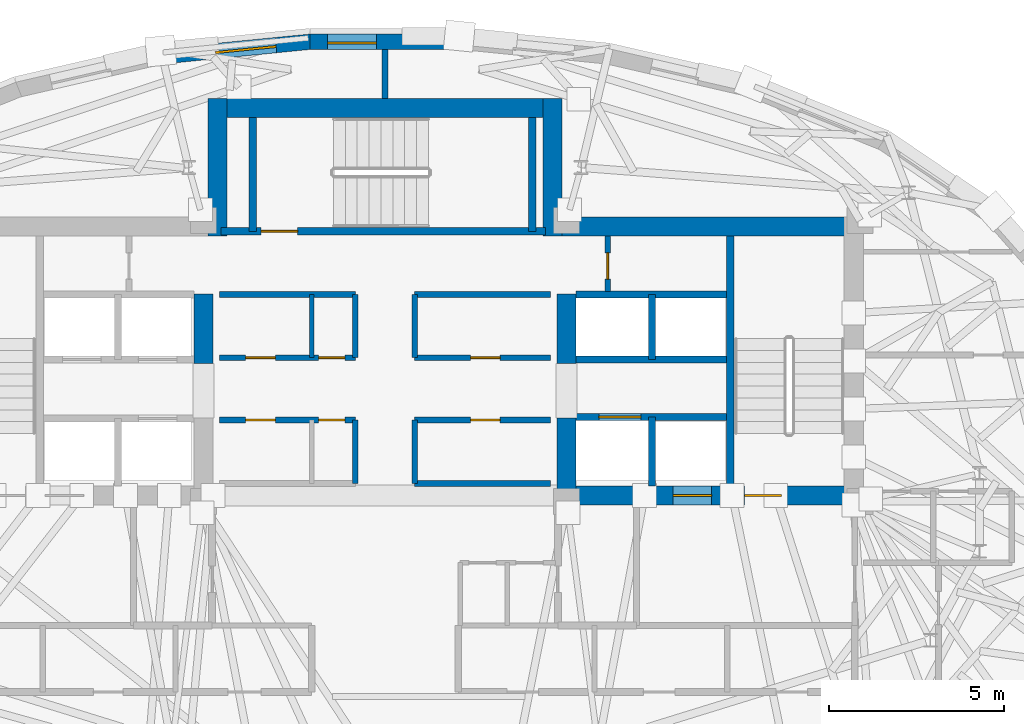
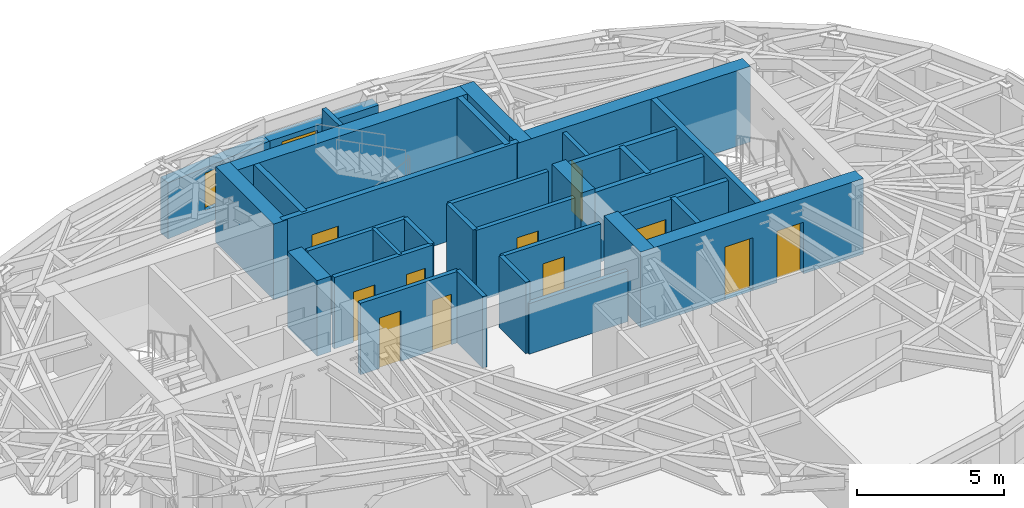
# One storey, part 8 of 13: 33 walls, 11 doors, 2 windows, 13 openings.
"""IFC4 building model written with IfcOpenShell, lengths in metres."""

from ifc_helpers import new_model, si_unit, direction, frame, frame_2d, origin, place, context, subcontext, project, spatial, rectangle, extrude, material, layer, layer_set, type_object, element, fill, save


model = new_model("IFC4")

# Units and contexts
model_context = context("Model", 3, precision=1e-05, world=origin(), true_north=direction((0.0, 1.0)))
body_context = subcontext(model_context, "Body", "Model", "MODEL_VIEW")
ifc_project = project(units=[si_unit("LENGTHUNIT", "METRE"), si_unit("AREAUNIT", "SQUARE_METRE"), si_unit("VOLUMEUNIT", "CUBIC_METRE"), si_unit("PLANEANGLEUNIT", "RADIAN"), si_unit("MASSUNIT", "GRAM", prefix="KILO")], contexts=[model_context])

# Site, building, storey
site_placement = place(None, origin())
site = spatial("IfcSite", under=ifc_project, at=site_placement, CompositionType="ELEMENT")
building_placement = place(site_placement, origin())
building = spatial("IfcBuilding", under=site, at=building_placement, Name="Keldmark Tower", CompositionType="ELEMENT")
storey_placement = place(building_placement, frame((0.0, 0.0, 241.5)))
storey = spatial("IfcBuildingStorey", under=building, at=storey_placement, Name="L68", CompositionType="ELEMENT", Elevation=241.5)

# Walls
ifc_material_1 = material(Name="Concrete C50/60", Category="concrete")
ifc_layer_1 = layer(ifc_material_1, 0.550048828125)
ifc_layer_set_1 = layer_set([ifc_layer_1], Name="Concrete C50/60")
wall_type_1 = type_object("IfcWallType", Name="High-Rise Core Shear Wall 550 mm", PredefinedType="SHEAR", material=ifc_layer_set_1)
wall_1_placement = place(storey_placement, frame((-5.199951171875, 5.35009765625, 0.0), z_axis=(0.0, 0.0, 1.0), x_axis=(0.0, 1.0, 0.0)))
element("IfcWall", 1, at=wall_1_placement, inside=storey, type_object=wall_type_1, Name="L68 West Core Inner Shear Pier North", PredefinedType="SHEAR", context=body_context, shape_type="SweptSolid", body=[
    extrude(rectangle(XDim=2.0, YDim=0.550048828125, at=frame_2d((1.0, 0.0))), origin(), (0.0, 0.0, 1.0), 3.14990234375),
])
wall_2_placement = place(storey_placement, frame((4.52490234375, 9.27490234375, 0.0), z_axis=(0.0, 0.0, 1.0), x_axis=(1.0, 0.0, 0.0)))
element("IfcWall", 2, at=wall_2_placement, inside=storey, type_object=wall_type_1, Name="L68 East Core North Shear Wall", PredefinedType="SHEAR", context=body_context, shape_type="SweptSolid", body=[
    extrude(rectangle(XDim=9.175048828125, YDim=0.550048828125, at=frame_2d((4.58740234375, 0.0))), origin(), (0.0, 0.0, 1.0), 3.14990234375),
])

# Wall, openings, doors
wall_3_placement = place(storey_placement, frame((13.699951171875, 1.574951171875, 0.0), z_axis=(0.0, 0.0, 1.0), x_axis=(-1.0, 0.0, 0.0)))
wall_3 = element("IfcWall", 3, at=wall_3_placement, inside=storey, type_object=wall_type_1, Name="L68 East Core South Shear Wall", PredefinedType="SHEAR", context=body_context, shape_type="SweptSolid", body=[
    extrude(rectangle(XDim=8.77490234375, YDim=0.550048828125, at=frame_2d((4.387451171875, 0.0))), origin(), (0.0, 0.0, 1.0), 3.14990234375),
])
opening_1_placement = place(wall_3_placement, frame((2.35009765625, 0.0, 0.0)))
opening_1 = element("IfcOpeningElement", 4, at=opening_1_placement, cuts=wall_3, Name="Opening D-ST105", PredefinedType="OPENING", context=body_context, shape_type="SweptSolid", body=[
    extrude(rectangle(XDim=1.050048828125, YDim=2.14990234375, at=frame_2d((0.52490234375, 1.074951171875))), frame((0.0, 0.284912109375, 0.0), z_axis=(0.0, -1.0, 0.0), x_axis=(1.0, 0.0, 0.0)), (0.0, 0.0, 1.0), 0.570068359375),
])
opening_2_placement = place(wall_3_placement, frame((4.35009765625, 0.0, 0.0)))
opening_2 = element("IfcOpeningElement", 5, at=opening_2_placement, cuts=wall_3, Name="Opening LD-110", PredefinedType="OPENING", context=body_context, shape_type="SweptSolid", body=[
    extrude(rectangle(XDim=1.10009765625, YDim=2.199951171875, at=frame_2d((0.550048828125, 1.10009765625))), frame((0.0, 0.284912109375, 0.0), z_axis=(0.0, -1.0, 0.0), x_axis=(1.0, 0.0, 0.0)), (0.0, 0.0, 1.0), 0.570068359375),
])
ifc_material_2 = material(Name="Brushed Bronze Hoistway Sliding Leaf", Category="metal")
door_type_1 = type_object("IfcDoorType", Name="Lift Landing Sliding Door 1100x2200", OperationType="SLIDING_TO_LEFT", PredefinedType="DOOR", material=ifc_material_2)
door_1_placement = place(opening_2_placement, origin())
door_1 = element("IfcDoor", 6, at=door_1_placement, inside=storey, type_object=door_type_1, Name="L68 Lift Landing Sliding Door 1100x2200 LD-EL-FS2-L68", OperationType="SLIDING_TO_LEFT", OverallHeight=2.199951171875, OverallWidth=1.10009765625, PredefinedType="DOOR", context=body_context, shape_type="SweptSolid", body=[
    extrude(rectangle(XDim=1.10009765625, YDim=2.199951171875, at=frame_2d((0.550048828125, 1.10009765625))), frame((0.0, 0.02490234375, 0.0), z_axis=(0.0, -1.0, 0.0), x_axis=(1.0, 0.0, 0.0)), (0.0, 0.0, 1.0), 0.050048828125),
])
fill(opening_2, door_1)
ifc_material_3 = material(Name="Hollow Metal Fire-Rated Door Assembly", Category="metal")
door_type_2 = type_object("IfcDoorType", Name="Stair Fire Door 1050x2150", OperationType="NOTDEFINED", PredefinedType="DOOR", material=ifc_material_3)
door_2_placement = place(opening_1_placement, origin())
door_2 = element("IfcDoor", 7, at=door_2_placement, inside=storey, type_object=door_type_2, Name="L68 Stair Fire Door 1050x2150 D-ST2-L68", OperationType="SINGLE_SWING_LEFT", OverallHeight=2.14990234375, OverallWidth=1.050048828125, PredefinedType="DOOR", context=body_context, shape_type="SweptSolid", body=[
    extrude(rectangle(XDim=1.050048828125, YDim=2.14990234375, at=frame_2d((0.52490234375, 1.074951171875))), frame((0.0, 0.02490234375, 0.0), z_axis=(0.0, -1.0, 0.0), x_axis=(1.0, 0.0, 0.0)), (0.0, 0.0, 1.0), 0.050048828125),
])
fill(opening_1, door_2)

# Walls
wall_4_placement = place(storey_placement, frame((5.199951171875, 1.300048828125, 0.0), z_axis=(0.0, 0.0, 1.0), x_axis=(0.0, 1.0, 0.0)))
element("IfcWall", 8, at=wall_4_placement, inside=storey, type_object=wall_type_1, Name="L68 East Core Inner Shear Pier South", PredefinedType="SHEAR", context=body_context, shape_type="SweptSolid", body=[
    extrude(rectangle(XDim=2.5, YDim=0.550048828125, at=frame_2d((1.25, 0.0))), origin(), (0.0, 0.0, 1.0), 3.14990234375),
])
wall_5_placement = place(storey_placement, frame((5.199951171875, 5.35009765625, 0.0), z_axis=(0.0, 0.0, 1.0), x_axis=(0.0, 1.0, 0.0)))
element("IfcWall", 9, at=wall_5_placement, inside=storey, type_object=wall_type_1, Name="L68 East Core Inner Shear Pier North", PredefinedType="SHEAR", context=body_context, shape_type="SweptSolid", body=[
    extrude(rectangle(XDim=2.0, YDim=0.550048828125, at=frame_2d((1.0, 0.0))), origin(), (0.0, 0.0, 1.0), 3.14990234375),
])
wall_6_placement = place(storey_placement, frame((-5.074951171875, 12.675048828125, 0.0), z_axis=(0.0, 0.0, 1.0), x_axis=(1.0, 0.0, 0.0)))
element("IfcWall", 10, at=wall_6_placement, inside=storey, type_object=wall_type_1, Name="L68 North Core Shear Wall", PredefinedType="SHEAR", context=body_context, shape_type="SweptSolid", body=[
    extrude(rectangle(XDim=10.14990234375, YDim=0.550048828125, at=frame_2d((5.074951171875, 0.0))), origin(), (0.0, 0.0, 1.0), 3.14990234375),
])
for number, where, z_axis, x_axis, name in (
    (11, (-4.800048828125, 9.0, 0.0), (0.0, 0.0, 1.0), (0.0, 1.0, 0.0), "L68 North Core West Shear Wall"),
    (12, (4.800048828125, 9.0, 0.0), (0.0, 0.0, 1.0), (0.0, 1.0, 0.0), "L68 North Core East Shear Wall"),
):
    element("IfcWall", number, at=place(storey_placement, frame(where, z_axis=z_axis, x_axis=x_axis)), inside=storey, type_object=wall_type_1, Name=name, PredefinedType="SHEAR", context=body_context, shape_type="SweptSolid", body=[
        extrude(rectangle(XDim=3.949951171875, YDim=0.550048828125, at=frame_2d((1.97509765625, 0.0))), origin(), (0.0, 0.0, 1.0), 3.14990234375),
    ])
ifc_material_4 = material(Name="Acoustic Gypsum Board Interior Partition", Category="gypsum")
ifc_layer_2 = layer(ifc_material_4, 0.1298828125)
ifc_layer_set_2 = layer_set([ifc_layer_2], Name="Acoustic Gypsum Board Interior Partition")
wall_type_2 = type_object("IfcWallType", Name="Interior Partition 130 mm", PredefinedType="PARTITIONING", material=ifc_layer_set_2)
wall_7_placement = place(storey_placement, frame((-2.10009765625, 5.52001953125, 0.0), z_axis=(0.0, 0.0, 1.0), x_axis=(0.0, 1.0, 0.0)))
element("IfcWall", 13, at=wall_7_placement, inside=storey, type_object=wall_type_2, Name="L68 Interior Partition 130 mm REC-MW-M", PredefinedType="PARTITIONING", context=body_context, shape_type="SweptSolid", body=[
    extrude(rectangle(XDim=1.81005859375, YDim=0.1298828125, at=frame_2d((0.905029296875, 0.0))), origin(), (0.0, 0.0, 1.0), 2.969970703125),
])

# Wall, openings, doors
ifc_material_5 = material(Name="Type X Fire-Rated Gypsum Partition Assembly", Category="gypsum")
ifc_layer_3 = layer(ifc_material_5, 0.1650390625)
ifc_layer_set_3 = layer_set([ifc_layer_3], Name="Type X Fire-Rated Gypsum Partition Assembly")
wall_type_3 = type_object("IfcWallType", Name="Rated Partition 165 mm", PredefinedType="PARTITIONING", material=ifc_layer_set_3)
wall_8_placement = place(storey_placement, frame((-4.739990234375, 3.739990234375, 0.0), z_axis=(0.0, 0.0, 1.0), x_axis=(1.0, 0.0, 0.0)))
wall_8 = element("IfcWall", 14, at=wall_8_placement, inside=storey, type_object=wall_type_3, Name="L68 Rated Partition 165 mm REC-LW-N", PredefinedType="PARTITIONING", context=body_context, shape_type="SweptSolid", body=[
    extrude(rectangle(XDim=3.889892578125, YDim=0.1650390625, at=frame_2d((1.94482421875, 0.0))), origin(), (0.0, 0.0, 1.0), 2.969970703125),
])
opening_3_placement = place(wall_8_placement, frame((0.75, 0.0, 0.0)))
opening_3 = element("IfcOpeningElement", 15, at=opening_3_placement, cuts=wall_8, Name="Opening D-SV085", PredefinedType="OPENING", context=body_context, shape_type="SweptSolid", body=[
    extrude(rectangle(XDim=0.85009765625, YDim=2.10009765625, at=frame_2d((0.425048828125, 1.050048828125))), frame((0.0, 0.092529296875, 0.0), z_axis=(0.0, -1.0, 0.0), x_axis=(1.0, 0.0, 0.0)), (0.0, 0.0, 1.0), 0.18505859375),
])
opening_4_placement = place(wall_8_placement, frame((2.840087890625, 0.0, 0.0)))
opening_4 = element("IfcOpeningElement", 16, at=opening_4_placement, cuts=wall_8, Name="Opening D-RS075", PredefinedType="OPENING", context=body_context, shape_type="SweptSolid", body=[
    extrude(rectangle(XDim=0.75, YDim=2.10009765625, at=frame_2d((0.375, 1.050048828125))), frame((0.0, 0.092529296875, 0.0), z_axis=(0.0, -1.0, 0.0), x_axis=(1.0, 0.0, 0.0)), (0.0, 0.0, 1.0), 0.18505859375),
])
ifc_material_6 = material(Name="Galvanized Fire-Rated Access Leaf", Category="metal")
door_type_3 = type_object("IfcDoorType", Name="Riser Access Door 750x2100", OperationType="NOTDEFINED", PredefinedType="DOOR", material=ifc_material_6)
door_3_placement = place(opening_4_placement, origin())
door_3 = element("IfcDoor", 17, at=door_3_placement, inside=storey, type_object=door_type_3, Name="L68 Riser Access Door 750x2100 D-RECLW2-L68", OperationType="SINGLE_SWING_RIGHT", OverallHeight=2.10009765625, OverallWidth=0.75, PredefinedType="DOOR", context=body_context, shape_type="SweptSolid", body=[
    extrude(rectangle(XDim=0.75, YDim=2.10009765625, at=frame_2d((0.375, 1.050048828125))), frame((0.0, 0.02490234375, 0.0), z_axis=(0.0, -1.0, 0.0), x_axis=(1.0, 0.0, 0.0)), (0.0, 0.0, 1.0), 0.050048828125),
])
fill(opening_4, door_3)
ifc_material_7 = material(Name="Painted Hollow Metal Door Assembly", Category="metal")
door_type_4 = type_object("IfcDoorType", Name="Service Door 850x2100", OperationType="NOTDEFINED", PredefinedType="DOOR", material=ifc_material_7)
door_4_placement = place(opening_3_placement, origin())
door_4 = element("IfcDoor", 18, at=door_4_placement, inside=storey, type_object=door_type_4, Name="L68 Service Door 850x2100 D-RECLW1-L68", OperationType="SINGLE_SWING_LEFT", OverallHeight=2.10009765625, OverallWidth=0.85009765625, PredefinedType="DOOR", context=body_context, shape_type="SweptSolid", body=[
    extrude(rectangle(XDim=0.85009765625, YDim=2.10009765625, at=frame_2d((0.425048828125, 1.050048828125))), frame((0.0, 0.02490234375, 0.0), z_axis=(0.0, -1.0, 0.0), x_axis=(1.0, 0.0, 0.0)), (0.0, 0.0, 1.0), 0.050048828125),
])
fill(opening_3, door_4)

# Walls
wall_9_placement = place(storey_placement, frame((-0.85009765625, 1.919921875, 0.0), z_axis=(0.0, 0.0, 1.0), x_axis=(0.0, 1.0, 0.0)))
element("IfcWall", 19, at=wall_9_placement, inside=storey, type_object=wall_type_3, Name="L68 Rated Partition 165 mm REC-LW-E", PredefinedType="PARTITIONING", context=body_context, shape_type="SweptSolid", body=[
    extrude(rectangle(XDim=1.820068359375, YDim=0.1650390625, at=frame_2d((0.91015625, 0.0))), origin(), (0.0, 0.0, 1.0), 2.969970703125),
])
wall_10_placement = place(storey_placement, frame((0.85009765625, 1.919921875, 0.0), z_axis=(0.0, 0.0, 1.0), x_axis=(1.0, 0.0, 0.0)))
element("IfcWall", 20, at=wall_10_placement, inside=storey, type_object=wall_type_3, Name="L68 Rated Partition 165 mm REC-LE-S", PredefinedType="PARTITIONING", context=body_context, shape_type="SweptSolid", body=[
    extrude(rectangle(XDim=3.889892578125, YDim=0.1650390625, at=frame_2d((1.94482421875, 0.0))), origin(), (0.0, 0.0, 1.0), 2.110107421875),
])

# Wall, opening, door
wall_11_placement = place(storey_placement, frame((0.85009765625, 3.739990234375, 0.0), z_axis=(0.0, 0.0, 1.0), x_axis=(1.0, 0.0, 0.0)))
wall_11 = element("IfcWall", 21, at=wall_11_placement, inside=storey, type_object=wall_type_3, Name="L68 Rated Partition 165 mm REC-LE-N", PredefinedType="PARTITIONING", context=body_context, shape_type="SweptSolid", body=[
    extrude(rectangle(XDim=3.889892578125, YDim=0.1650390625, at=frame_2d((1.94482421875, 0.0))), origin(), (0.0, 0.0, 1.0), 2.969970703125),
])
opening_5_placement = place(wall_11_placement, frame((1.60009765625, 0.0, 0.0)))
opening_5 = element("IfcOpeningElement", 22, at=opening_5_placement, cuts=wall_11, Name="Opening D-SV085", PredefinedType="OPENING", context=body_context, shape_type="SweptSolid", body=[
    extrude(rectangle(XDim=0.85009765625, YDim=2.10009765625, at=frame_2d((0.425048828125, 1.050048828125))), frame((0.0, 0.092529296875, 0.0), z_axis=(0.0, -1.0, 0.0), x_axis=(1.0, 0.0, 0.0)), (0.0, 0.0, 1.0), 0.18505859375),
])
door_5_placement = place(opening_5_placement, origin())
door_5 = element("IfcDoor", 23, at=door_5_placement, inside=storey, type_object=door_type_4, Name="L68 Service Door 850x2100 D-RECLE1-L68", OperationType="SINGLE_SWING_LEFT", OverallHeight=2.10009765625, OverallWidth=0.85009765625, PredefinedType="DOOR", context=body_context, shape_type="SweptSolid", body=[
    extrude(rectangle(XDim=0.85009765625, YDim=2.10009765625, at=frame_2d((0.425048828125, 1.050048828125))), frame((0.0, 0.02490234375, 0.0), z_axis=(0.0, -1.0, 0.0), x_axis=(1.0, 0.0, 0.0)), (0.0, 0.0, 1.0), 0.050048828125),
])
fill(opening_5, door_5)

# Wall
wall_12_placement = place(storey_placement, frame((0.85009765625, 1.919921875, 0.0), z_axis=(0.0, 0.0, 1.0), x_axis=(0.0, 1.0, 0.0)))
element("IfcWall", 24, at=wall_12_placement, inside=storey, type_object=wall_type_3, Name="L68 Rated Partition 165 mm REC-LE-W", PredefinedType="PARTITIONING", context=body_context, shape_type="SweptSolid", body=[
    extrude(rectangle(XDim=1.820068359375, YDim=0.1650390625, at=frame_2d((0.91015625, 0.0))), origin(), (0.0, 0.0, 1.0), 2.969970703125),
])

# Wall, openings, doors
wall_13_placement = place(storey_placement, frame((-4.739990234375, 5.52001953125, 0.0), z_axis=(0.0, 0.0, 1.0), x_axis=(1.0, 0.0, 0.0)))
wall_13 = element("IfcWall", 25, at=wall_13_placement, inside=storey, type_object=wall_type_3, Name="L68 Rated Partition 165 mm REC-MW-S", PredefinedType="PARTITIONING", context=body_context, shape_type="SweptSolid", body=[
    extrude(rectangle(XDim=3.889892578125, YDim=0.1650390625, at=frame_2d((1.94482421875, 0.0))), origin(), (0.0, 0.0, 1.0), 2.969970703125),
])
opening_6_placement = place(wall_13_placement, frame((0.75, 0.0, 0.0)))
opening_6 = element("IfcOpeningElement", 26, at=opening_6_placement, cuts=wall_13, Name="Opening D-SV085", PredefinedType="OPENING", context=body_context, shape_type="SweptSolid", body=[
    extrude(rectangle(XDim=0.85009765625, YDim=2.10009765625, at=frame_2d((0.425048828125, 1.050048828125))), frame((0.0, 0.092529296875, 0.0), z_axis=(0.0, -1.0, 0.0), x_axis=(1.0, 0.0, 0.0)), (0.0, 0.0, 1.0), 0.18505859375),
])
opening_7_placement = place(wall_13_placement, frame((2.840087890625, 0.0, 0.0)))
opening_7 = element("IfcOpeningElement", 27, at=opening_7_placement, cuts=wall_13, Name="Opening D-RS075", PredefinedType="OPENING", context=body_context, shape_type="SweptSolid", body=[
    extrude(rectangle(XDim=0.75, YDim=2.10009765625, at=frame_2d((0.375, 1.050048828125))), frame((0.0, 0.092529296875, 0.0), z_axis=(0.0, -1.0, 0.0), x_axis=(1.0, 0.0, 0.0)), (0.0, 0.0, 1.0), 0.18505859375),
])
door_6_placement = place(opening_7_placement, origin())
door_6 = element("IfcDoor", 28, at=door_6_placement, inside=storey, type_object=door_type_3, Name="L68 Riser Access Door 750x2100 D-RECMW2-L68", OperationType="SINGLE_SWING_RIGHT", OverallHeight=2.10009765625, OverallWidth=0.75, PredefinedType="DOOR", context=body_context, shape_type="SweptSolid", body=[
    extrude(rectangle(XDim=0.75, YDim=2.10009765625, at=frame_2d((0.375, 1.050048828125))), frame((0.0, 0.02490234375, 0.0), z_axis=(0.0, -1.0, 0.0), x_axis=(1.0, 0.0, 0.0)), (0.0, 0.0, 1.0), 0.050048828125),
])
fill(opening_7, door_6)
door_7_placement = place(opening_6_placement, origin())
door_7 = element("IfcDoor", 29, at=door_7_placement, inside=storey, type_object=door_type_4, Name="L68 Service Door 850x2100 D-RECMW1-L68", OperationType="SINGLE_SWING_LEFT", OverallHeight=2.10009765625, OverallWidth=0.85009765625, PredefinedType="DOOR", context=body_context, shape_type="SweptSolid", body=[
    extrude(rectangle(XDim=0.85009765625, YDim=2.10009765625, at=frame_2d((0.425048828125, 1.050048828125))), frame((0.0, 0.02490234375, 0.0), z_axis=(0.0, -1.0, 0.0), x_axis=(1.0, 0.0, 0.0)), (0.0, 0.0, 1.0), 0.050048828125),
])
fill(opening_6, door_7)

# Walls
wall_14_placement = place(storey_placement, frame((-4.739990234375, 7.330078125, 0.0), z_axis=(0.0, 0.0, 1.0), x_axis=(1.0, 0.0, 0.0)))
element("IfcWall", 30, at=wall_14_placement, inside=storey, type_object=wall_type_3, Name="L68 Rated Partition 165 mm REC-MW-N", PredefinedType="PARTITIONING", context=body_context, shape_type="SweptSolid", body=[
    extrude(rectangle(XDim=3.889892578125, YDim=0.1650390625, at=frame_2d((1.94482421875, 0.0))), origin(), (0.0, 0.0, 1.0), 2.969970703125),
])
wall_15_placement = place(storey_placement, frame((-0.85009765625, 5.52001953125, 0.0), z_axis=(0.0, 0.0, 1.0), x_axis=(0.0, 1.0, 0.0)))
element("IfcWall", 31, at=wall_15_placement, inside=storey, type_object=wall_type_3, Name="L68 Rated Partition 165 mm REC-MW-E", PredefinedType="PARTITIONING", context=body_context, shape_type="SweptSolid", body=[
    extrude(rectangle(XDim=1.81005859375, YDim=0.1650390625, at=frame_2d((0.905029296875, 0.0))), origin(), (0.0, 0.0, 1.0), 2.969970703125),
])

# Wall, opening, door
wall_16_placement = place(storey_placement, frame((0.85009765625, 5.52001953125, 0.0), z_axis=(0.0, 0.0, 1.0), x_axis=(1.0, 0.0, 0.0)))
wall_16 = element("IfcWall", 32, at=wall_16_placement, inside=storey, type_object=wall_type_3, Name="L68 Rated Partition 165 mm REC-ME-S", PredefinedType="PARTITIONING", context=body_context, shape_type="SweptSolid", body=[
    extrude(rectangle(XDim=3.889892578125, YDim=0.1650390625, at=frame_2d((1.94482421875, 0.0))), origin(), (0.0, 0.0, 1.0), 2.969970703125),
])
opening_8_placement = place(wall_16_placement, frame((1.60009765625, 0.0, 0.0)))
opening_8 = element("IfcOpeningElement", 33, at=opening_8_placement, cuts=wall_16, Name="Opening D-SV085", PredefinedType="OPENING", context=body_context, shape_type="SweptSolid", body=[
    extrude(rectangle(XDim=0.85009765625, YDim=2.10009765625, at=frame_2d((0.425048828125, 1.050048828125))), frame((0.0, 0.092529296875, 0.0), z_axis=(0.0, -1.0, 0.0), x_axis=(1.0, 0.0, 0.0)), (0.0, 0.0, 1.0), 0.18505859375),
])
door_8_placement = place(opening_8_placement, origin())
door_8 = element("IfcDoor", 34, at=door_8_placement, inside=storey, type_object=door_type_4, Name="L68 Service Door 850x2100 D-RECME1-L68", OperationType="SINGLE_SWING_RIGHT", OverallHeight=2.10009765625, OverallWidth=0.85009765625, PredefinedType="DOOR", context=body_context, shape_type="SweptSolid", body=[
    extrude(rectangle(XDim=0.85009765625, YDim=2.10009765625, at=frame_2d((0.425048828125, 1.050048828125))), frame((0.0, 0.02490234375, 0.0), z_axis=(0.0, -1.0, 0.0), x_axis=(1.0, 0.0, 0.0)), (0.0, 0.0, 1.0), 0.050048828125),
])
fill(opening_8, door_8)

# Walls
wall_17_placement = place(storey_placement, frame((0.85009765625, 7.330078125, 0.0), z_axis=(0.0, 0.0, 1.0), x_axis=(1.0, 0.0, 0.0)))
element("IfcWall", 35, at=wall_17_placement, inside=storey, type_object=wall_type_3, Name="L68 Rated Partition 165 mm REC-ME-N", PredefinedType="PARTITIONING", context=body_context, shape_type="SweptSolid", body=[
    extrude(rectangle(XDim=3.889892578125, YDim=0.1650390625, at=frame_2d((1.94482421875, 0.0))), origin(), (0.0, 0.0, 1.0), 2.969970703125),
])
wall_18_placement = place(storey_placement, frame((0.85009765625, 5.52001953125, 0.0), z_axis=(0.0, 0.0, 1.0), x_axis=(0.0, 1.0, 0.0)))
element("IfcWall", 36, at=wall_18_placement, inside=storey, type_object=wall_type_3, Name="L68 Rated Partition 165 mm REC-ME-W", PredefinedType="PARTITIONING", context=body_context, shape_type="SweptSolid", body=[
    extrude(rectangle(XDim=1.81005859375, YDim=0.1650390625, at=frame_2d((0.905029296875, 0.0))), origin(), (0.0, 0.0, 1.0), 2.969970703125),
])

# Wall, opening, door
wall_19_placement = place(storey_placement, frame((6.3798828125, 7.419921875, 0.0), z_axis=(0.0, 0.0, 1.0), x_axis=(0.0, 1.0, 0.0)))
wall_19 = element("IfcWall", 37, at=wall_19_placement, inside=storey, type_object=wall_type_3, Name="L68 Rated Partition 165 mm CS-NE-W", PredefinedType="PARTITIONING", context=body_context, shape_type="SweptSolid", body=[
    extrude(rectangle(XDim=1.580078125, YDim=0.1650390625, at=frame_2d((0.7900390625, 0.0))), origin(), (0.0, 0.0, 1.0), 2.969970703125),
])
opening_9_placement = place(wall_19_placement, frame((0.35009765625, 0.0, 0.0)))
opening_9 = element("IfcOpeningElement", 38, at=opening_9_placement, cuts=wall_19, Name="Opening D-RS075", PredefinedType="OPENING", context=body_context, shape_type="SweptSolid", body=[
    extrude(rectangle(XDim=0.75, YDim=2.10009765625, at=frame_2d((0.375, 1.050048828125))), frame((0.0, 0.092529296875, 0.0), z_axis=(0.0, -1.0, 0.0), x_axis=(1.0, 0.0, 0.0)), (0.0, 0.0, 1.0), 0.18505859375),
])
door_9_placement = place(opening_9_placement, origin())
door_9 = element("IfcDoor", 39, at=door_9_placement, inside=storey, type_object=door_type_3, Name="L68 Riser Access Door 750x2100 D-CSNE1-L68", OperationType="SINGLE_SWING_LEFT", OverallHeight=2.10009765625, OverallWidth=0.75, PredefinedType="DOOR", context=body_context, shape_type="SweptSolid", body=[
    extrude(rectangle(XDim=0.75, YDim=2.10009765625, at=frame_2d((0.375, 1.050048828125))), frame((0.0, 0.02490234375, 0.0), z_axis=(0.0, -1.0, 0.0), x_axis=(1.0, 0.0, 0.0)), (0.0, 0.0, 1.0), 0.050048828125),
])
fill(opening_9, door_9)

# Wall
wall_20_placement = place(storey_placement, frame((0.0, 12.949951171875, 0.0), z_axis=(0.0, 0.0, 1.0), x_axis=(0.0, 1.0, 0.0)))
element("IfcWall", 40, at=wall_20_placement, inside=storey, type_object=wall_type_3, Name="L68 Rated Partition 165 mm RN-DIV", PredefinedType="PARTITIONING", context=body_context, shape_type="SweptSolid", body=[
    extrude(rectangle(XDim=1.390869140625, YDim=0.1650390625, at=frame_2d((0.6953125, 0.0))), origin(), (0.0, 0.0, 1.0), 2.969970703125),
])

# Wall, opening, door
ifc_material_8 = material(Name="Fire-Resistant Type X Gypsum Shaftliner Coreboard", Category="gypsum")
ifc_layer_4 = layer(ifc_material_8, 0.199951171875)
ifc_layer_set_4 = layer_set([ifc_layer_4], Name="Fire-Resistant Type X Gypsum Shaftliner Coreboard")
wall_type_4 = type_object("IfcWallType", Name="Shaft Wall 200 mm", PredefinedType="SOLIDWALL", material=ifc_layer_set_4)
wall_21_placement = place(storey_placement, frame((5.47509765625, 3.820068359375, 0.0), z_axis=(0.0, 0.0, 1.0), x_axis=(1.0, 0.0, 0.0)))
wall_21 = element("IfcWall", 41, at=wall_21_placement, inside=storey, type_object=wall_type_4, Name="L68 Shaft Wall 200 mm HW-E-S", PredefinedType="SOLIDWALL", context=body_context, shape_type="SweptSolid", body=[
    extrude(rectangle(XDim=4.304931640625, YDim=0.199951171875, at=frame_2d((2.15234375, 0.0))), origin(), (0.0, 0.0, 1.0), 2.969970703125),
])
opening_10_placement = place(wall_21_placement, frame((0.64990234375, 0.0, 0.0)))
opening_10 = element("IfcOpeningElement", 42, at=opening_10_placement, cuts=wall_21, Name="Opening LD-120", PredefinedType="OPENING", context=body_context, shape_type="SweptSolid", body=[
    extrude(rectangle(XDim=1.199951171875, YDim=2.199951171875, at=frame_2d((0.60009765625, 1.10009765625))), frame((0.0, 0.10986328125, 0.0), z_axis=(0.0, -1.0, 0.0), x_axis=(1.0, 0.0, 0.0)), (0.0, 0.0, 1.0), 0.219970703125),
])
ifc_material_9 = material(Name="Heavy-Duty Brushed Metal Hoistway Sliding Leaf", Category="metal")
door_type_5 = type_object("IfcDoorType", Name="Service Lift Sliding Door 1200x2200", OperationType="SLIDING_TO_RIGHT", PredefinedType="DOOR", material=ifc_material_9)
door_10_placement = place(opening_10_placement, origin())
door_10 = element("IfcDoor", 43, at=door_10_placement, inside=storey, type_object=door_type_5, Name="L68 Service Lift Sliding Door 1200x2200 LD-EL-SV1-L68", OperationType="SLIDING_TO_RIGHT", OverallHeight=2.199951171875, OverallWidth=1.199951171875, PredefinedType="DOOR", context=body_context, shape_type="SweptSolid", body=[
    extrude(rectangle(XDim=1.199951171875, YDim=2.199951171875, at=frame_2d((0.60009765625, 1.10009765625))), frame((0.0, 0.02490234375, 0.0), z_axis=(0.0, -1.0, 0.0), x_axis=(1.0, 0.0, 0.0)), (0.0, 0.0, 1.0), 0.050048828125),
])
fill(opening_10, door_10)

# Walls
wall_22_placement = place(storey_placement, frame((7.64990234375, 1.85009765625, 0.0), z_axis=(0.0, 0.0, 1.0), x_axis=(0.0, 1.0, 0.0)))
element("IfcWall", 44, at=wall_22_placement, inside=storey, type_object=wall_type_4, Name="L68 Shaft Wall 200 mm HW-E-M", PredefinedType="SOLIDWALL", context=body_context, shape_type="SweptSolid", body=[
    extrude(rectangle(XDim=1.969970703125, YDim=0.199951171875, at=frame_2d((0.98486328125, 0.0))), origin(), (0.0, 0.0, 1.0), 2.969970703125),
])
for number, where, z_axis, x_axis, name in (
    (45, (5.47509765625, 5.469970703125, 0.0), (0.0, 0.0, 1.0), (1.0, 0.0, 0.0), "L68 Shaft Wall 200 mm HW-E-N"),
    (46, (5.47509765625, 7.330078125, 0.0), (0.0, 0.0, 1.0), (1.0, 0.0, 0.0), "L68 Shaft Wall 200 mm HW-E-TOP"),
):
    element("IfcWall", number, at=place(storey_placement, frame(where, z_axis=z_axis, x_axis=x_axis)), inside=storey, type_object=wall_type_4, Name=name, PredefinedType="SOLIDWALL", context=body_context, shape_type="SweptSolid", body=[
        extrude(rectangle(XDim=4.304931640625, YDim=0.199951171875, at=frame_2d((2.15234375, 0.0))), origin(), (0.0, 0.0, 1.0), 2.969970703125),
    ])
wall_23_placement = place(storey_placement, frame((7.64990234375, 5.469970703125, 0.0), z_axis=(0.0, 0.0, 1.0), x_axis=(0.0, 1.0, 0.0)))
element("IfcWall", 47, at=wall_23_placement, inside=storey, type_object=wall_type_4, Name="L68 Shaft Wall 200 mm HW-E-NM", PredefinedType="SOLIDWALL", context=body_context, shape_type="SweptSolid", body=[
    extrude(rectangle(XDim=1.860107421875, YDim=0.199951171875, at=frame_2d((0.93017578125, 0.0))), origin(), (0.0, 0.0, 1.0), 2.969970703125),
])
ifc_material_10 = material(Name="Concrete C50/60", Category="concrete")
ifc_layer_5 = layer(ifc_material_10, 0.219970703125)
ifc_layer_set_5 = layer_set([ifc_layer_5], Name="Concrete C50/60")
wall_type_5 = type_object("IfcWallType", Name="Stair Core Shear Wall 220 mm", PredefinedType="SHEAR", material=ifc_layer_set_5)
wall_24_placement = place(storey_placement, frame((9.889892578125, 1.85009765625, 0.0), z_axis=(0.0, 0.0, 1.0), x_axis=(0.0, 1.0, 0.0)))
element("IfcWall", 48, at=wall_24_placement, inside=storey, type_object=wall_type_5, Name="L68 East Stair Core Shear Wall", PredefinedType="SHEAR", context=body_context, shape_type="SweptSolid", body=[
    extrude(rectangle(XDim=7.14990234375, YDim=0.219970703125, at=frame_2d((3.574951171875, 0.0))), origin(), (0.0, 0.0, 1.0), 3.14990234375),
])

# Wall, opening, door
wall_25_placement = place(storey_placement, frame((-4.699951171875, 9.139892578125, 0.0), z_axis=(0.0, 0.0, 1.0), x_axis=(1.0, 0.0, 0.0)))
wall_25 = element("IfcWall", 49, at=wall_25_placement, inside=storey, type_object=wall_type_5, Name="L68 Central Stair Core South Shear Wall", PredefinedType="SHEAR", context=body_context, shape_type="SweptSolid", body=[
    extrude(rectangle(XDim=9.300048828125, YDim=0.219970703125, at=frame_2d((4.64990234375, 0.0))), origin(), (0.0, 0.0, 1.0), 3.14990234375),
])
opening_11_placement = place(wall_25_placement, frame((1.14990234375, 0.0, 0.0)))
opening_11 = element("IfcOpeningElement", 50, at=opening_11_placement, cuts=wall_25, Name="Opening D-ST105", PredefinedType="OPENING", context=body_context, shape_type="SweptSolid", body=[
    extrude(rectangle(XDim=1.050048828125, YDim=2.14990234375, at=frame_2d((0.52490234375, 1.074951171875))), frame((0.0, 0.119873046875, 0.0), z_axis=(0.0, -1.0, 0.0), x_axis=(1.0, 0.0, 0.0)), (0.0, 0.0, 1.0), 0.239990234375),
])
door_11_placement = place(opening_11_placement, origin())
door_11 = element("IfcDoor", 51, at=door_11_placement, inside=storey, type_object=door_type_2, Name="L68 Stair Fire Door 1050x2150 D-ST3-L68", OperationType="SINGLE_SWING_LEFT", OverallHeight=2.14990234375, OverallWidth=1.050048828125, PredefinedType="DOOR", context=body_context, shape_type="SweptSolid", body=[
    extrude(rectangle(XDim=1.050048828125, YDim=2.14990234375, at=frame_2d((0.52490234375, 1.074951171875))), frame((0.0, 0.02490234375, 0.0), z_axis=(0.0, -1.0, 0.0), x_axis=(1.0, 0.0, 0.0)), (0.0, 0.0, 1.0), 0.050048828125),
])
fill(opening_11, door_11)

# Walls
for number, where, z_axis, x_axis, name in (
    (52, (-3.784912109375, 9.139892578125, 0.0), (0.0, 0.0, 1.0), (0.0, 1.0, 0.0), "L68 Central Stair Core West Shear Wall"),
    (53, (4.215087890625, 9.139892578125, 0.0), (0.0, 0.0, 1.0), (0.0, 1.0, 0.0), "L68 Central Stair Core East Shear Wall"),
):
    element("IfcWall", number, at=place(storey_placement, frame(where, z_axis=z_axis, x_axis=x_axis)), inside=storey, type_object=wall_type_5, Name=name, PredefinedType="SHEAR", context=body_context, shape_type="SweptSolid", body=[
        extrude(rectangle(XDim=3.260009765625, YDim=0.219970703125, at=frame_2d((1.6298828125, 0.0))), origin(), (0.0, 0.0, 1.0), 3.14990234375),
    ])

# Wall, opening, window
ifc_material_11 = material(Name="Ironspot Manganese Brick and Kasota Buff Limestone Spandrel Assembly", Category="masonry")
ifc_layer_6 = layer(ifc_material_11, 0.43994140625)
ifc_layer_set_6 = layer_set([ifc_layer_6], Name="Ironspot Manganese Brick and Kasota Buff Limestone Spandrel Assembly")
wall_type_6 = type_object("IfcWallType", Name="Tower Brick Pier and Spandrel Wall 440 mm", PredefinedType="STANDARD", material=ifc_layer_set_6)
wall_26_placement = place(storey_placement, frame((-2.14794921875, 14.56884765625, 0.0), z_axis=(0.0, 0.0, 1.0), x_axis=(1.0, 0.0, 0.0)))
wall_26 = element("IfcWall", 54, at=wall_26_placement, inside=storey, type_object=wall_type_6, Name="L68 Exterior Brick and Spandrel Wall 08", PredefinedType="STANDARD", context=body_context, shape_type="SweptSolid", body=[
    extrude(rectangle(XDim=4.2958984375, YDim=0.43994140625, at=frame_2d((2.14794921875, 0.0))), origin(), (0.0, 0.0, 1.0), 2.3359375),
])
opening_12_placement = place(wall_26_placement, frame((0.49951171875, 0.0, 0.580078125)))
opening_12 = element("IfcOpeningElement", 55, at=opening_12_placement, cuts=wall_26, Name="Opening W-08", PredefinedType="OPENING", context=body_context, shape_type="SweptSolid", body=[
    extrude(rectangle(XDim=1.39990234375, YDim=1.550048828125, at=frame_2d((0.699951171875, 0.77490234375))), frame((0.0, 0.22998046875, 0.0), z_axis=(0.0, -1.0, 0.0), x_axis=(1.0, 0.0, 0.0)), (0.0, 0.0, 1.0), 0.4599609375),
])
ifc_material_12 = material(Name="Thermally Broken Anodized Aluminum and Triple Low-E Argon Glazing", Category="aluminium")
window_type_1 = type_object("IfcWindowType", Name="Residential Corner Punched Window 1400x1550", PartitioningType="SINGLE_PANEL", PredefinedType="WINDOW", material=ifc_material_12)
window_1_placement = place(opening_12_placement, origin())
window_1 = element("IfcWindow", 56, at=window_1_placement, inside=storey, type_object=window_type_1, Name="L68 Deep-Set Window 08", OverallHeight=1.550048828125, OverallWidth=1.39990234375, PartitioningType="SINGLE_PANEL", PredefinedType="WINDOW", context=body_context, shape_type="SweptSolid", body=[
    extrude(rectangle(XDim=1.39990234375, YDim=1.550048828125, at=frame_2d((0.699951171875, 0.77490234375))), frame((0.0, -0.010009765625, 0.0), z_axis=(0.0, -1.0, 0.0), x_axis=(1.0, 0.0, 0.0)), (0.0, 0.0, 1.0), 0.06005859375),
])
fill(opening_12, window_1)

wall_27_placement = place(storey_placement, frame((-6.404541015625, 14.146240234375, 0.0), z_axis=(0.0, 0.0, 1.0), x_axis=(0.995134540264, 0.098525361068, 0.0)))
wall_27 = element("IfcWall", 57, at=wall_27_placement, inside=storey, type_object=wall_type_6, Name="L68 Exterior Brick and Spandrel Wall 09", PredefinedType="STANDARD", context=body_context, shape_type="SweptSolid", body=[
    extrude(rectangle(XDim=4.29931640625, YDim=0.43994140625, at=frame_2d((2.149658203125, 0.0))), origin(), (0.0, 0.0, 1.0), 2.3359375),
])
opening_13_placement = place(wall_27_placement, frame((1.549560546875, 0.0, 0.550048828125)))
opening_13 = element("IfcOpeningElement", 58, at=opening_13_placement, cuts=wall_27, Name="Opening W-05", PredefinedType="OPENING", context=body_context, shape_type="SweptSolid", body=[
    extrude(rectangle(XDim=1.75, YDim=1.550048828125, at=frame_2d((0.875, 0.77490234375))), frame((0.0, 0.22998046875, 0.0), z_axis=(0.0, -1.0, 0.0), x_axis=(1.0, 0.0, 0.0)), (0.0, 0.0, 1.0), 0.4599609375),
])
ifc_material_13 = material(Name="Thermally Broken Anodized Aluminum and Triple Low-E Argon Glazing", Category="aluminium")
window_type_2 = type_object("IfcWindowType", Name="Residential Deep-Set Window 1750x1550", PartitioningType="DOUBLE_PANEL_VERTICAL", PredefinedType="WINDOW", material=ifc_material_13)
window_2_placement = place(opening_13_placement, origin())
window_2 = element("IfcWindow", 59, at=window_2_placement, inside=storey, type_object=window_type_2, Name="L68 Deep-Set Window 09", OverallHeight=1.550048828125, OverallWidth=1.75, PartitioningType="SINGLE_PANEL", PredefinedType="WINDOW", context=body_context, shape_type="SweptSolid", body=[
    extrude(rectangle(XDim=1.75, YDim=1.550048828125, at=frame_2d((0.875, 0.77490234375))), frame((0.0, -0.010009765625, 0.0), z_axis=(0.0, -1.0, 0.0), x_axis=(1.0, 0.0, 0.0)), (0.0, 0.0, 1.0), 0.06005859375),
])
fill(opening_13, window_2)

save(model, "model.ifc")
